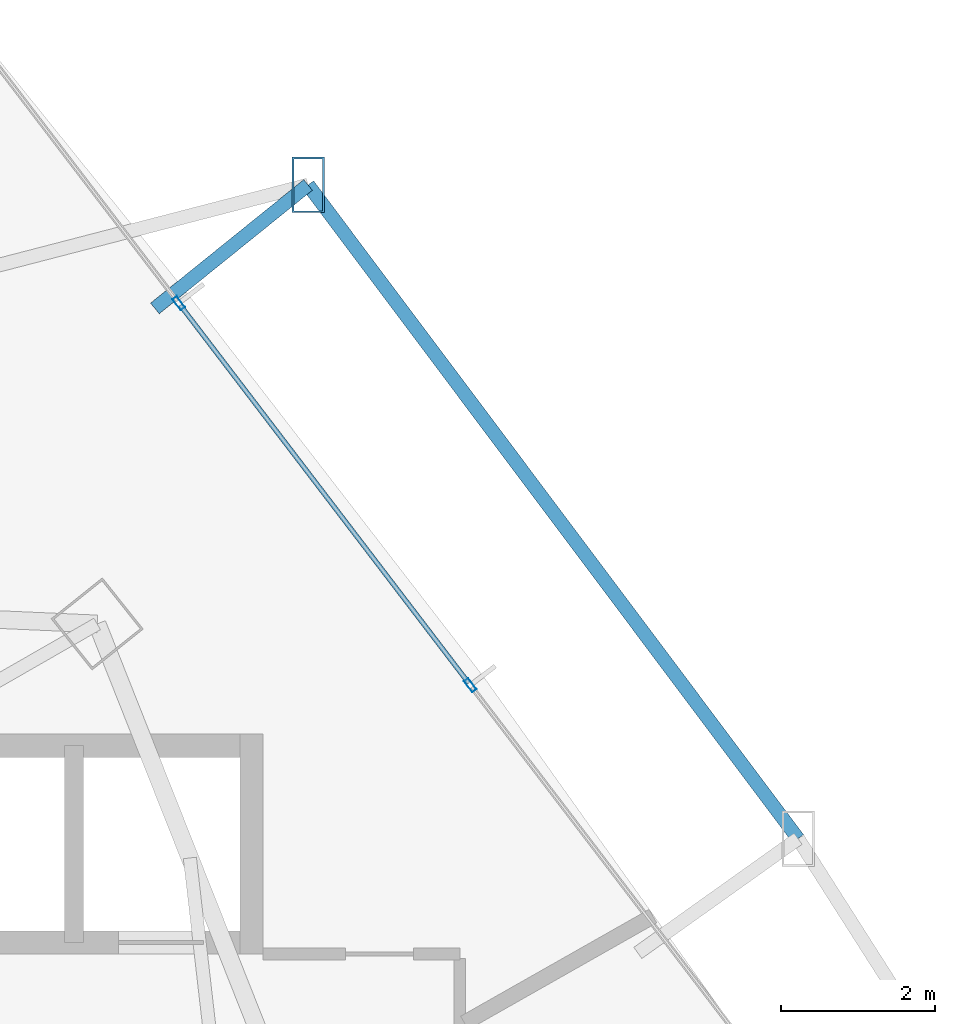
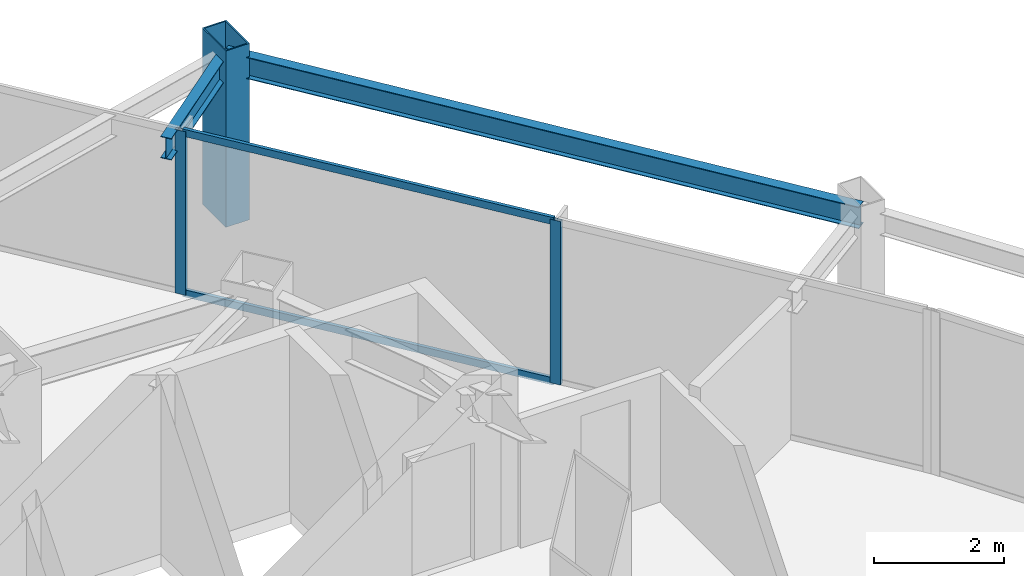
# One storey, part 27 of 34: 5 members, 2 beams, 1 element without a shape of its own.
"""IFC4 building model written with IfcOpenShell, lengths in metres."""

from ifc_helpers import new_model, si_unit, direction, frame, origin, origin_2d, place, context, subcontext, project, spatial, hollow_rectangle, i_section, extrude, material, layer, layer_set, material_profile, profile_set, type_object, element, aggregate, save


model = new_model("IFC4")

# Units and contexts
model_context = context("Model", 3, precision=1e-05, world=origin(), true_north=direction((0.0, 1.0)))
body_context = subcontext(model_context, "Body", "Model", "MODEL_VIEW")
ifc_project = project(units=[si_unit("LENGTHUNIT", "METRE"), si_unit("AREAUNIT", "SQUARE_METRE"), si_unit("VOLUMEUNIT", "CUBIC_METRE"), si_unit("PLANEANGLEUNIT", "RADIAN"), si_unit("MASSUNIT", "GRAM", prefix="KILO")], contexts=[model_context])

# Site, building, storey
site_placement = place(None, origin())
site = spatial("IfcSite", under=ifc_project, at=site_placement, CompositionType="ELEMENT")
building_placement = place(site_placement, origin())
building = spatial("IfcBuilding", under=site, at=building_placement, Name="Orvanel Arch Residences", CompositionType="ELEMENT")
storey_placement = place(building_placement, frame((0.0, 0.0, 67.550048828125)))
storey = spatial("IfcBuildingStorey", under=building, at=storey_placement, Name="L18", CompositionType="ELEMENT", Elevation=67.550048828125)

# Member
ifc_material_1 = material(Name="Structural steel AS/NZS 3678 Grade 350", Category="steel")
ifc_material_profile_1 = material_profile(ifc_material_1, hollow_rectangle(XDim=0.419921875, YDim=0.719970703125, WallThickness=0.02490234375, at=origin_2d()), Name="RHS720x420x25")
ifc_profile_set_1 = profile_set([ifc_material_profile_1], Name="Structural steel AS/NZS 3678 Grade 350")
member_type_1 = type_object("IfcMemberType", Name="CH-720RHS-EXT", PredefinedType="CHORD", material=ifc_profile_set_1)
member_1_placement = place(storey_placement, frame((40.68310546875, 46.867919921875, 0.0), z_axis=(0.0, 0.0, 1.0), x_axis=(1.0, 0.0, 0.0)))
element("IfcMember", 1, at=member_1_placement, inside=storey, type_object=member_type_1, Name="L18 Outer Perimeter Frame Post 12", PredefinedType="CHORD", context=body_context, shape_type="SweptSolid", body=[
    extrude(hollow_rectangle(XDim=0.419921875, YDim=0.719970703125, WallThickness=0.02490234375, at=origin_2d()), origin(), (0.0, 0.0, 1.0), 3.300048828125),
])

# Curtain wall, members
ifc_material_2 = material(Name="Bronze-anodised aluminium AA6063-T6", Category="aluminium")
ifc_layer = layer(ifc_material_2, 0.179931640625)
ifc_layer_set = layer_set([ifc_layer], Name="Bronze-anodised aluminium AA6063-T6")
curtain_wall_type = type_object("IfcCurtainWallType", Name="CW2-LOW-SYS", PredefinedType="NOTDEFINED", material=ifc_layer_set)
curtain_wall_placement = place(storey_placement, origin())
curtain_wall = element("IfcCurtainWall", 2, at=curtain_wall_placement, inside=storey, type_object=curtain_wall_type, Name="L18 CW2-LOW-SYS Unitised Curtain Wall", PredefinedType="NOTDEFINED")
ifc_material_profile_2 = material_profile(ifc_material_2, hollow_rectangle(XDim=0.070068359375, YDim=0.179931640625, WallThickness=0.00439453125, at=origin_2d()), Name="ALU180x70x4.5")
ifc_profile_set_2 = profile_set([ifc_material_profile_2], Name="Bronze-anodised aluminium AA6063-T6")
member_type_2 = type_object("IfcMemberType", Name="MUL-180x70", PredefinedType="MULLION", material=ifc_profile_set_2)
member_2_placement = place(storey_placement, frame((42.78564453125, 40.38427734375, 0.0), z_axis=(0.0, 0.0, 1.0), x_axis=(-0.794898267581, -0.606742733122, 0.0)))
member_2 = element("IfcMember", 3, at=member_2_placement, type_object=member_type_2, Name="CW-S2 mullion 2", PredefinedType="MULLION", context=body_context, shape_type="SweptSolid", body=[
    extrude(hollow_rectangle(XDim=0.070068359375, YDim=0.179931640625, WallThickness=0.00439453125, at=origin_2d()), origin(), (0.0, 0.0, 1.0), 3.06005859375),
])
member_3_placement = place(storey_placement, frame((39.00634765625, 45.335693359375, 0.0), z_axis=(0.0, 0.0, 1.0), x_axis=(-0.794898267581, -0.606742733122, 0.0)))
member_3 = element("IfcMember", 4, at=member_3_placement, type_object=member_type_2, Name="CW-S2 mullion 3", PredefinedType="MULLION", context=body_context, shape_type="SweptSolid", body=[
    extrude(hollow_rectangle(XDim=0.070068359375, YDim=0.179931640625, WallThickness=0.00439453125, at=origin_2d()), origin(), (0.0, 0.0, 1.0), 3.06005859375),
])

# Beams
ifc_material_3 = material(Name="Structural steel AS/NZS 3679.1 Grade 300 (300 MPa)", Category="steel")
ifc_material_profile_3 = material_profile(ifc_material_3, i_section(OverallWidth=0.177978515625, OverallDepth=0.406005859375, WebThickness=0.0078125, FlangeThickness=0.0126953125, at=origin_2d()), Name="410UB59.7")
ifc_profile_set_3 = profile_set([ifc_material_profile_3], Name="Structural steel AS/NZS 3679.1 Grade 300 (300 MPa)")
beam_type = type_object("IfcBeamType", Name="OB-410UB-EXT", PredefinedType="SPANDREL", material=ifc_profile_set_3)
beam_1_placement = place(storey_placement, frame((47.033935546875, 38.39404296875, 2.85693359375), z_axis=(-0.599723307078, 0.800207444946, 0.0), x_axis=(-0.800207444946, -0.599723307078, 0.0)))
element("IfcBeam", 5, at=beam_1_placement, inside=storey, type_object=beam_type, Name="L18 Outer Perimeter Floor Ring Beam 11", PredefinedType="SPANDREL", context=body_context, shape_type="SweptSolid", body=[
    extrude(i_section(OverallWidth=0.177978515625, OverallDepth=0.406005859375, WebThickness=0.0078125, FlangeThickness=0.0126953125, at=origin_2d()), origin(), (0.0, 0.0, 1.0), 10.589599609375),
])
beam_2_placement = place(storey_placement, frame((38.697998046875, 45.26708984375, 2.85693359375), z_axis=(0.7784251119, 0.627737481088, 0.0), x_axis=(-0.627737481088, 0.7784251119, 0.0)))
element("IfcBeam", 6, at=beam_2_placement, inside=storey, type_object=beam_type, Name="L18 Outer Frame Radial Tie Beam 12", PredefinedType="SPANDREL", context=body_context, shape_type="SweptSolid", body=[
    extrude(i_section(OverallWidth=0.177978515625, OverallDepth=0.406005859375, WebThickness=0.0078125, FlangeThickness=0.0126953125, at=origin_2d()), origin(), (0.0, 0.0, 1.0), 2.550048828125),
])

# Member
ifc_material_profile_4 = material_profile(ifc_material_2, hollow_rectangle(XDim=0.06005859375, YDim=0.135009765625, WallThickness=0.00390625, at=origin_2d()), Name="ALU135x60x4")
ifc_profile_set_4 = profile_set([ifc_material_profile_4], Name="Bronze-anodised aluminium AA6063-T6")
member_type_3 = type_object("IfcMemberType", Name="TRN-135x60", PredefinedType="USERDEFINED", material=ifc_profile_set_4)
member_4_placement = place(storey_placement, frame((42.764404296875, 40.412109375, 0.030029296875), z_axis=(-0.606733307077, 0.794905462356, 0.0), x_axis=(-0.794905462356, -0.606733307077, 0.0)))
member_4 = element("IfcMember", 7, at=member_4_placement, type_object=member_type_3, Name="CW-S2 transom 2.1", ObjectType="TRANSOM", PredefinedType="USERDEFINED", context=body_context, shape_type="SweptSolid", body=[
    extrude(hollow_rectangle(XDim=0.06005859375, YDim=0.135009765625, WallThickness=0.00390625, at=origin_2d()), origin(), (0.0, 0.0, 1.0), 6.158935546875),
])

member_5_placement = place(storey_placement, frame((42.764404296875, 40.412109375, 3.030029296875), z_axis=(-0.606733307077, 0.794905462356, 0.0), x_axis=(-0.794905462356, -0.606733307077, 0.0)))
member_5 = element("IfcMember", 8, at=member_5_placement, type_object=member_type_3, Name="CW-S2 transom 2.2", ObjectType="TRANSOM", PredefinedType="USERDEFINED", context=body_context, shape_type="SweptSolid", body=[
    extrude(hollow_rectangle(XDim=0.06005859375, YDim=0.135009765625, WallThickness=0.00390625, at=origin_2d()), origin(), (0.0, 0.0, 1.0), 6.158935546875),
])

aggregate(curtain_wall, [member_2, member_3, member_4, member_5])

save(model, "model.ifc")
